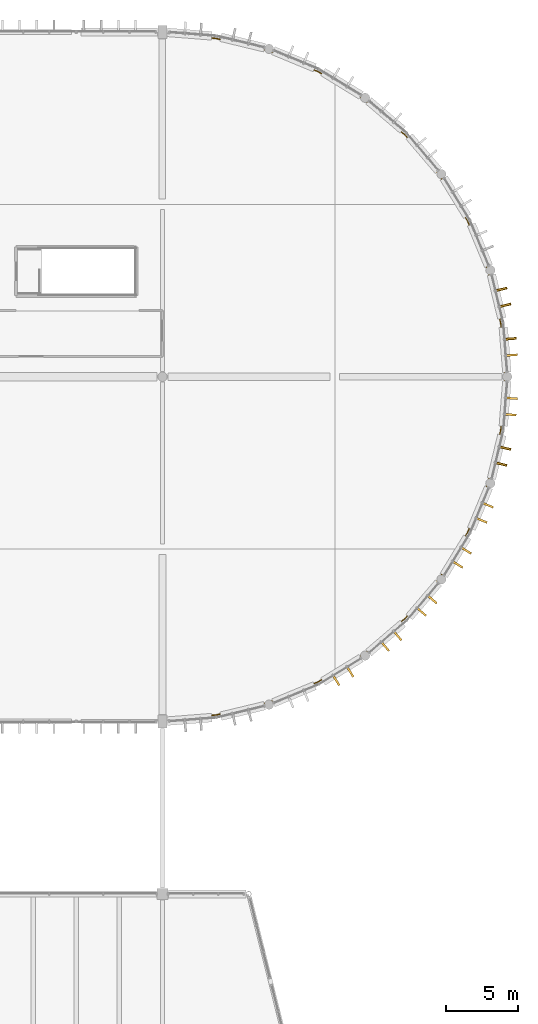
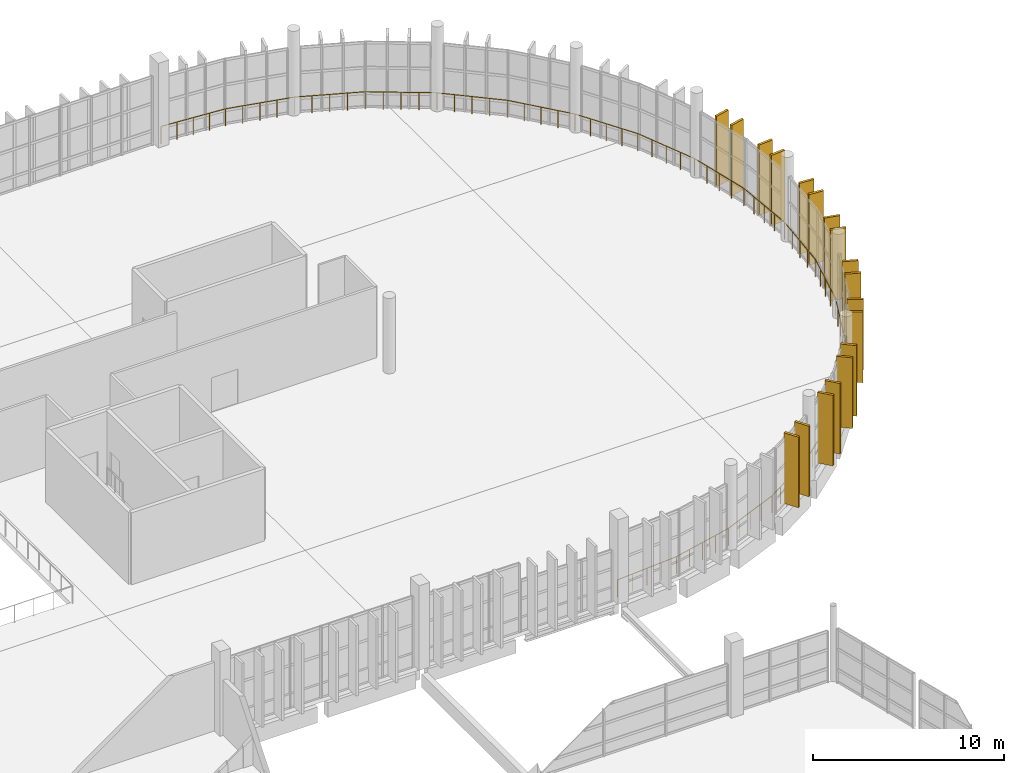
# One storey, part 110 of 112: 18 coverings, 1 railing.
"""IFC4 building model written with IfcOpenShell, lengths in metres."""

from ifc_helpers import new_model, si_unit, direction, frame, origin, origin_2d, place, context, subcontext, project, spatial, rectangle, circle, extrude, material, layer, layer_set, type_object, element, save


model = new_model("IFC4")

# Units and contexts
model_context = context("Model", 3, precision=1e-05, world=origin(), true_north=direction((0.0, 1.0)))
body_context = subcontext(model_context, "Body", "Model", "MODEL_VIEW")
ifc_project = project(units=[si_unit("LENGTHUNIT", "METRE"), si_unit("AREAUNIT", "SQUARE_METRE"), si_unit("VOLUMEUNIT", "CUBIC_METRE"), si_unit("PLANEANGLEUNIT", "RADIAN"), si_unit("MASSUNIT", "GRAM", prefix="KILO")], contexts=[model_context])

# Site, building, storey
site_placement = place(None, origin())
site = spatial("IfcSite", under=ifc_project, at=site_placement, CompositionType="ELEMENT")
building_placement = place(site_placement, origin())
building = spatial("IfcBuilding", under=site, at=building_placement, Name="Kamomehara Wholesale Market", CompositionType="ELEMENT")
storey_placement = place(building_placement, frame((0.0, 0.0, 6.60009765625)))
storey = spatial("IfcBuildingStorey", under=building, at=storey_placement, Name="L01", CompositionType="ELEMENT", Elevation=6.60009765625)

# Coverings
ifc_material_1 = material(Name="Anodised aluminium 6063-T5 Spectrum Red", Category="aluminium")
ifc_layer_1 = layer(ifc_material_1, 0.134033203125)
ifc_layer_set_1 = layer_set([ifc_layer_1], Name="Anodised aluminium 6063-T5 Spectrum Red")
covering_type_1 = type_object("IfcCoveringType", Name="COV-CLD-01", PredefinedType="CLADDING", material=ifc_layer_set_1)
for number, where, z_axis, x_axis, name in (
    (1, (203.830078125, 127.032958984375, 0.0), (0.0, 0.0, 1.0), (-0.233649011414, -0.972321006389, 0.0), "Apse radial spectrum fin 183"),
    (2, (198.02490234375, 115.64111328125, 0.0), (0.0, 0.0, 1.0), (-0.649275500974, -0.760553301114, 0.0), "Apse radial spectrum fin 190"),
):
    element("IfcCovering", number, at=place(storey_placement, frame(where, z_axis=z_axis, x_axis=x_axis)), inside=storey, type_object=covering_type_1, Name=name, PredefinedType="CLADDING", context=body_context, shape_type="SweptSolid", body=[
        extrude(rectangle(XDim=0.134033203125, YDim=0.85009765625, at=origin_2d()), origin(), (0.0, 0.0, 1.0), 4.5),
    ])
ifc_material_2 = material(Name="Anodised aluminium 6063-T5 Spectrum Orange", Category="aluminium")
ifc_layer_2 = layer(ifc_material_2, 0.135986328125)
ifc_layer_set_2 = layer_set([ifc_layer_2], Name="Anodised aluminium 6063-T5 Spectrum Orange")
covering_type_2 = type_object("IfcCoveringType", Name="COV-CLD-02", PredefinedType="CLADDING", material=ifc_layer_set_2)
for number, where, z_axis, x_axis, name in (
    (3, (203.56298828125, 138.075927734375, 0.0), (0.0, 0.0, 1.0), (0.233649011414, -0.972321006389, 0.0), "Apse radial spectrum fin 177"),
    (4, (203.56298828125, 125.924072265625, 0.0), (0.0, 0.0, 1.0), (-0.233649011414, -0.972321006389, 0.0), "Apse radial spectrum fin 184"),
    (5, (196.35888671875, 113.97509765625, 0.0), (0.0, 0.0, 1.0), (-0.760553301114, -0.649275500974, 0.0), "Apse radial spectrum fin 191"),
):
    element("IfcCovering", number, at=place(storey_placement, frame(where, z_axis=z_axis, x_axis=x_axis)), inside=storey, type_object=covering_type_2, Name=name, PredefinedType="CLADDING", context=body_context, shape_type="SweptSolid", body=[
        extrude(rectangle(XDim=0.135986328125, YDim=0.85009765625, at=origin_2d()), origin(), (0.0, 0.0, 1.0), 4.5),
    ])
ifc_material_3 = material(Name="Anodised aluminium 6063-T5 Spectrum Amber", Category="aluminium")
ifc_layer_3 = layer(ifc_material_3, 0.137939453125)
ifc_layer_set_3 = layer_set([ifc_layer_3], Name="Anodised aluminium 6063-T5 Spectrum Amber")
covering_type_3 = type_object("IfcCoveringType", Name="COV-CLD-03", PredefinedType="CLADDING", material=ifc_layer_set_3)
for number, where, z_axis, x_axis, name in (
    (6, (203.830078125, 136.967041015625, 0.0), (0.0, 0.0, 1.0), (0.233649011414, -0.972321006389, 0.0), "Apse radial spectrum fin 178"),
    (7, (202.635009765625, 123.06494140625, 0.0), (0.0, 0.0, 1.0), (-0.382570556331, -0.923926279217, 0.0), "Apse radial spectrum fin 185"),
    (8, (195.491943359375, 113.23388671875, 0.0), (0.0, 0.0, 1.0), (-0.760553301114, -0.649275500974, 0.0), "Apse radial spectrum fin 192"),
):
    element("IfcCovering", number, at=place(storey_placement, frame(where, z_axis=z_axis, x_axis=x_axis)), inside=storey, type_object=covering_type_3, Name=name, PredefinedType="CLADDING", context=body_context, shape_type="SweptSolid", body=[
        extrude(rectangle(XDim=0.137939453125, YDim=0.85009765625, at=origin_2d()), origin(), (0.0, 0.0, 1.0), 4.5),
    ])
ifc_material_4 = material(Name="Anodised aluminium 6063-T5 Spectrum Green", Category="aluminium")
ifc_layer_4 = layer(ifc_material_4, 0.139892578125)
ifc_layer_set_4 = layer_set([ifc_layer_4], Name="Anodised aluminium 6063-T5 Spectrum Green")
covering_type_4 = type_object("IfcCoveringType", Name="COV-CLD-04", PredefinedType="CLADDING", material=ifc_layer_set_4)
for number, where, z_axis, x_axis, name in (
    (9, (204.198974609375, 134.638916015625, 0.0), (0.0, 0.0, 1.0), (0.078337298714, -0.99692691188, 0.0), "Apse radial spectrum fin 179"),
    (10, (202.198974609375, 122.011962890625, 0.0), (0.0, 0.0, 1.0), (-0.382570556331, -0.923926279217, 0.0), "Apse radial spectrum fin 186"),
    (11, (193.06103515625, 111.468017578125, 0.0), (0.0, 0.0, 1.0), (-0.852603684995, -0.522558088955, 0.0), "Apse radial spectrum fin 193"),
):
    element("IfcCovering", number, at=place(storey_placement, frame(where, z_axis=z_axis, x_axis=x_axis)), inside=storey, type_object=covering_type_4, Name=name, PredefinedType="CLADDING", context=body_context, shape_type="SweptSolid", body=[
        extrude(rectangle(XDim=0.139892578125, YDim=0.85009765625, at=origin_2d()), origin(), (0.0, 0.0, 1.0), 4.5),
    ])
ifc_material_5 = material(Name="Anodised aluminium 6063-T5 Spectrum Cyan", Category="aluminium")
ifc_layer_5 = layer(ifc_material_5, 0.14208984375)
ifc_layer_set_5 = layer_set([ifc_layer_5], Name="Anodised aluminium 6063-T5 Spectrum Cyan")
covering_type_5 = type_object("IfcCoveringType", Name="COV-CLD-05", PredefinedType="CLADDING", material=ifc_layer_set_5)
for number, where, z_axis, x_axis, name in (
    (12, (204.2880859375, 133.501953125, 0.0), (0.0, 0.0, 1.0), (0.078337298714, -0.99692691188, 0.0), "Apse radial spectrum fin 180"),
    (13, (201.1279296875, 119.910888671875, 0.0), (0.0, 0.0, 1.0), (-0.522558088955, -0.852603684995, 0.0), "Apse radial spectrum fin 187"),
    (14, (192.089111328125, 110.8720703125, 0.0), (0.0, 0.0, 1.0), (-0.852603684995, -0.522558088955, 0.0), "Apse radial spectrum fin 194"),
):
    element("IfcCovering", number, at=place(storey_placement, frame(where, z_axis=z_axis, x_axis=x_axis)), inside=storey, type_object=covering_type_5, Name=name, PredefinedType="CLADDING", context=body_context, shape_type="SweptSolid", body=[
        extrude(rectangle(XDim=0.14208984375, YDim=0.85009765625, at=origin_2d()), origin(), (0.0, 0.0, 1.0), 4.5),
    ])
ifc_material_6 = material(Name="Anodised aluminium 6063-T5 Spectrum Blue", Category="aluminium")
ifc_layer_6 = layer(ifc_material_6, 0.14404296875)
ifc_layer_set_6 = layer_set([ifc_layer_6], Name="Anodised aluminium 6063-T5 Spectrum Blue")
covering_type_6 = type_object("IfcCoveringType", Name="COV-CLD-06", PredefinedType="CLADDING", material=ifc_layer_set_6)
for number, where, z_axis, x_axis, name in (
    (15, (204.2880859375, 130.498046875, 0.0), (0.0, 0.0, 1.0), (-0.078337298714, -0.99692691188, 0.0), "Apse radial spectrum fin 181"),
    (16, (200.531982421875, 118.93896484375, 0.0), (0.0, 0.0, 1.0), (-0.522558088955, -0.852603684995, 0.0), "Apse radial spectrum fin 188"),
):
    element("IfcCovering", number, at=place(storey_placement, frame(where, z_axis=z_axis, x_axis=x_axis)), inside=storey, type_object=covering_type_6, Name=name, PredefinedType="CLADDING", context=body_context, shape_type="SweptSolid", body=[
        extrude(rectangle(XDim=0.14404296875, YDim=0.85009765625, at=origin_2d()), origin(), (0.0, 0.0, 1.0), 4.5),
    ])
ifc_material_7 = material(Name="Anodised aluminium 6063-T5 Spectrum Violet", Category="aluminium")
ifc_layer_7 = layer(ifc_material_7, 0.14599609375)
ifc_layer_set_7 = layer_set([ifc_layer_7], Name="Anodised aluminium 6063-T5 Spectrum Violet")
covering_type_7 = type_object("IfcCoveringType", Name="COV-CLD-07", PredefinedType="CLADDING", material=ifc_layer_set_7)
for number, where, z_axis, x_axis, name in (
    (17, (204.198974609375, 129.361083984375, 0.0), (0.0, 0.0, 1.0), (-0.078337298714, -0.99692691188, 0.0), "Apse radial spectrum fin 182"),
    (18, (198.76611328125, 116.508056640625, 0.0), (0.0, 0.0, 1.0), (-0.649275500974, -0.760553301114, 0.0), "Apse radial spectrum fin 189"),
):
    element("IfcCovering", number, at=place(storey_placement, frame(where, z_axis=z_axis, x_axis=x_axis)), inside=storey, type_object=covering_type_7, Name=name, PredefinedType="CLADDING", context=body_context, shape_type="SweptSolid", body=[
        extrude(rectangle(XDim=0.14599609375, YDim=0.85009765625, at=origin_2d()), origin(), (0.0, 0.0, 1.0), 4.5),
    ])

# Railing
ifc_material_8 = material(Name="Steel SN400B", Category="steel")
railing_type = type_object("IfcRailingType", Name="RAL-INT-1100", PredefinedType="BALUSTRADE", material=ifc_material_8)
railing_placement = place(storey_placement, frame((180.0, 108.159912109375, 0.0)))
element("IfcRailing", 19, at=railing_placement, inside=storey, type_object=railing_type, Name="Upper produce hall apse perimeter guard", PredefinedType="BALUSTRADE", context=body_context, shape_type="SweptSolid", body=[
    extrude(circle(Radius=0.02392578125, at=origin_2d()), frame((0.0, 0.0, 1.09619140625), z_axis=(0.996902459423, 0.078647863271, 0.0), x_axis=(-0.078647863271, 0.996902459423, 0.0)), (0.0, 0.0, 1.0), 3.740478515625),
    extrude(circle(Radius=0.02392578125, at=origin_2d()), frame((3.72900390625, 0.294189453125, 1.09619140625), z_axis=(0.972405661967, 0.233296439268, 0.0), x_axis=(-0.233296439268, 0.972405661967, 0.0)), (0.0, 0.0, 1.0), 3.7412109375),
    extrude(circle(Radius=0.02392578125, at=origin_2d()), frame((7.366943359375, 1.1669921875, 1.09619140625), z_axis=(0.923916614529, 0.382593896183, 0.0), x_axis=(-0.382593896183, 0.923916614529, 0.0)), (0.0, 0.0, 1.0), 3.74072265625),
    extrude(circle(Radius=0.02392578125, at=origin_2d()), frame((10.822998046875, 2.59814453125, 1.09619140625), z_axis=(0.85263595176, 0.522505438982, 0.0), x_axis=(-0.522505438982, 0.85263595176, 0.0)), (0.0, 0.0, 1.0), 3.7412109375),
    extrude(circle(Radius=0.02392578125, at=origin_2d()), frame((14.012939453125, 4.552978515625, 1.09619140625), z_axis=(0.760250786381, 0.649629695909, 0.0), x_axis=(-0.649629695909, 0.760250786381, 0.0)), (0.0, 0.0, 1.0), 3.740966796875),
    extrude(circle(Radius=0.02392578125, at=origin_2d()), frame((16.85693359375, 6.983154296875, 1.09619140625), z_axis=(0.649629695909, 0.760250786381, 0.0), x_axis=(-0.760250786381, 0.649629695909, 0.0)), (0.0, 0.0, 1.0), 3.740966796875),
    extrude(circle(Radius=0.02392578125, at=origin_2d()), frame((19.287109375, 9.8271484375, 1.09619140625), z_axis=(0.522505438982, 0.85263595176, 0.0), x_axis=(-0.85263595176, 0.522505438982, 0.0)), (0.0, 0.0, 1.0), 3.7412109375),
    extrude(circle(Radius=0.02392578125, at=origin_2d()), frame((21.241943359375, 13.01708984375, 1.09619140625), z_axis=(0.382593896183, 0.923916614529, 0.0), x_axis=(-0.923916614529, 0.382593896183, 0.0)), (0.0, 0.0, 1.0), 3.74072265625),
    extrude(circle(Radius=0.02392578125, at=origin_2d()), frame((22.673095703125, 16.47314453125, 1.09619140625), z_axis=(0.233296439268, 0.972405661967, 0.0), x_axis=(-0.972405661967, 0.233296439268, 0.0)), (0.0, 0.0, 1.0), 3.7412109375),
    extrude(circle(Radius=0.02392578125, at=origin_2d()), frame((23.5458984375, 20.111083984375, 1.09619140625), z_axis=(0.078647863271, 0.996902459423, 0.0), x_axis=(-0.996902459423, 0.078647863271, 0.0)), (0.0, 0.0, 1.0), 3.740478515625),
    extrude(circle(Radius=0.02392578125, at=origin_2d()), frame((23.840087890625, 23.840087890625, 1.09619140625), z_axis=(-0.078647863271, 0.996902459423, 0.0), x_axis=(-0.996902459423, -0.078647863271, 0.0)), (0.0, 0.0, 1.0), 3.740478515625),
    extrude(circle(Radius=0.02392578125, at=origin_2d()), frame((23.5458984375, 27.569091796875, 1.09619140625), z_axis=(-0.233296439268, 0.972405661967, 0.0), x_axis=(-0.972405661967, -0.233296439268, 0.0)), (0.0, 0.0, 1.0), 3.7412109375),
    extrude(circle(Radius=0.02392578125, at=origin_2d()), frame((22.673095703125, 31.20703125, 1.09619140625), z_axis=(-0.382593896183, 0.923916614529, 0.0), x_axis=(-0.923916614529, -0.382593896183, 0.0)), (0.0, 0.0, 1.0), 3.74072265625),
    extrude(circle(Radius=0.02392578125, at=origin_2d()), frame((21.241943359375, 34.6630859375, 1.09619140625), z_axis=(-0.522505438982, 0.85263595176, 0.0), x_axis=(-0.85263595176, -0.522505438982, 0.0)), (0.0, 0.0, 1.0), 3.7412109375),
    extrude(circle(Radius=0.02392578125, at=origin_2d()), frame((19.287109375, 37.85302734375, 1.09619140625), z_axis=(-0.649629695909, 0.760250786381, 0.0), x_axis=(-0.760250786381, -0.649629695909, 0.0)), (0.0, 0.0, 1.0), 3.740966796875),
    extrude(circle(Radius=0.02392578125, at=origin_2d()), frame((16.85693359375, 40.697021484375, 1.09619140625), z_axis=(-0.760250786381, 0.649629695909, 0.0), x_axis=(-0.649629695909, -0.760250786381, 0.0)), (0.0, 0.0, 1.0), 3.740966796875),
    extrude(circle(Radius=0.02392578125, at=origin_2d()), frame((14.012939453125, 43.127197265625, 1.09619140625), z_axis=(-0.85263595176, 0.522505438982, 0.0), x_axis=(-0.522505438982, -0.85263595176, 0.0)), (0.0, 0.0, 1.0), 3.7412109375),
    extrude(circle(Radius=0.02392578125, at=origin_2d()), frame((10.822998046875, 45.08203125, 1.09619140625), z_axis=(-0.923916614529, 0.382593896183, 0.0), x_axis=(-0.382593896183, -0.923916614529, 0.0)), (0.0, 0.0, 1.0), 3.74072265625),
    extrude(circle(Radius=0.02392578125, at=origin_2d()), frame((7.366943359375, 46.51318359375, 1.09619140625), z_axis=(-0.972405661967, 0.233296439268, 0.0), x_axis=(-0.233296439268, -0.972405661967, 0.0)), (0.0, 0.0, 1.0), 3.7412109375),
    extrude(circle(Radius=0.02392578125, at=origin_2d()), frame((3.72900390625, 47.385986328125, 1.09619140625), z_axis=(-0.996902459423, 0.078647863271, 0.0), x_axis=(-0.078647863271, -0.996902459423, 0.0)), (0.0, 0.0, 1.0), 3.740478515625),
    extrude(circle(Radius=0.02099609375, at=origin_2d()), origin(), (0.0, 0.0, 1.0), 1.072021484375),
    extrude(circle(Radius=0.02099609375, at=origin_2d()), frame((0.93212890625, 0.073486328125, 0.0)), (0.0, 0.0, 1.0), 1.072021484375),
    extrude(circle(Radius=0.02099609375, at=origin_2d()), frame((1.864501953125, 0.14697265625, 0.0)), (0.0, 0.0, 1.0), 1.072021484375),
    extrude(circle(Radius=0.02099609375, at=origin_2d()), frame((2.796875, 0.220703125, 0.0)), (0.0, 0.0, 1.0), 1.072021484375),
    extrude(circle(Radius=0.02099609375, at=origin_2d()), frame((3.72900390625, 0.294189453125, 0.0)), (0.0, 0.0, 1.0), 1.072021484375),
    extrude(circle(Radius=0.02099609375, at=origin_2d()), frame((4.638427734375, 0.512451171875, 0.0)), (0.0, 0.0, 1.0), 1.072021484375),
    extrude(circle(Radius=0.02099609375, at=origin_2d()), frame((5.5478515625, 0.73046875, 0.0)), (0.0, 0.0, 1.0), 1.072021484375),
    extrude(circle(Radius=0.02099609375, at=origin_2d()), frame((6.45751953125, 0.94873046875, 0.0)), (0.0, 0.0, 1.0), 1.072021484375),
    extrude(circle(Radius=0.02099609375, at=origin_2d()), frame((7.366943359375, 1.1669921875, 0.0)), (0.0, 0.0, 1.0), 1.072021484375),
    extrude(circle(Radius=0.02099609375, at=origin_2d()), frame((8.23095703125, 1.52490234375, 0.0)), (0.0, 0.0, 1.0), 1.072021484375),
    extrude(circle(Radius=0.02099609375, at=origin_2d()), frame((9.094970703125, 1.882568359375, 0.0)), (0.0, 0.0, 1.0), 1.072021484375),
    extrude(circle(Radius=0.02099609375, at=origin_2d()), frame((9.958984375, 2.240234375, 0.0)), (0.0, 0.0, 1.0), 1.072021484375),
    extrude(circle(Radius=0.02099609375, at=origin_2d()), frame((10.822998046875, 2.59814453125, 0.0)), (0.0, 0.0, 1.0), 1.072021484375),
    extrude(circle(Radius=0.02099609375, at=origin_2d()), frame((11.62060546875, 3.0869140625, 0.0)), (0.0, 0.0, 1.0), 1.072021484375),
    extrude(circle(Radius=0.02099609375, at=origin_2d()), frame((12.41796875, 3.57568359375, 0.0)), (0.0, 0.0, 1.0), 1.072021484375),
    extrude(circle(Radius=0.02099609375, at=origin_2d()), frame((13.21533203125, 4.064208984375, 0.0)), (0.0, 0.0, 1.0), 1.072021484375),
    extrude(circle(Radius=0.02099609375, at=origin_2d()), frame((14.012939453125, 4.552978515625, 0.0)), (0.0, 0.0, 1.0), 1.072021484375),
    extrude(circle(Radius=0.02099609375, at=origin_2d()), frame((14.723876953125, 5.16064453125, 0.0)), (0.0, 0.0, 1.0), 1.072021484375),
    extrude(circle(Radius=0.02099609375, at=origin_2d()), frame((15.43505859375, 5.76806640625, 0.0)), (0.0, 0.0, 1.0), 1.072021484375),
    extrude(circle(Radius=0.02099609375, at=origin_2d()), frame((16.14599609375, 6.37548828125, 0.0)), (0.0, 0.0, 1.0), 1.072021484375),
    extrude(circle(Radius=0.02099609375, at=origin_2d()), frame((16.85693359375, 6.983154296875, 0.0)), (0.0, 0.0, 1.0), 1.072021484375),
    extrude(circle(Radius=0.02099609375, at=origin_2d()), frame((17.46435546875, 7.694091796875, 0.0)), (0.0, 0.0, 1.0), 1.072021484375),
    extrude(circle(Radius=0.02099609375, at=origin_2d()), frame((18.072021484375, 8.4052734375, 0.0)), (0.0, 0.0, 1.0), 1.072021484375),
    extrude(circle(Radius=0.02099609375, at=origin_2d()), frame((18.6796875, 9.1162109375, 0.0)), (0.0, 0.0, 1.0), 1.072021484375),
    extrude(circle(Radius=0.02099609375, at=origin_2d()), frame((19.287109375, 9.8271484375, 0.0)), (0.0, 0.0, 1.0), 1.072021484375),
    extrude(circle(Radius=0.02099609375, at=origin_2d()), frame((19.77587890625, 10.62451171875, 0.0)), (0.0, 0.0, 1.0), 1.072021484375),
    extrude(circle(Radius=0.02099609375, at=origin_2d()), frame((20.2646484375, 11.422119140625, 0.0)), (0.0, 0.0, 1.0), 1.072021484375),
    extrude(circle(Radius=0.02099609375, at=origin_2d()), frame((20.753173828125, 12.2197265625, 0.0)), (0.0, 0.0, 1.0), 1.072021484375),
    extrude(circle(Radius=0.02099609375, at=origin_2d()), frame((21.241943359375, 13.01708984375, 0.0)), (0.0, 0.0, 1.0), 1.072021484375),
    extrude(circle(Radius=0.02099609375, at=origin_2d()), frame((21.599609375, 13.881103515625, 0.0)), (0.0, 0.0, 1.0), 1.072021484375),
    extrude(circle(Radius=0.02099609375, at=origin_2d()), frame((21.95751953125, 14.7451171875, 0.0)), (0.0, 0.0, 1.0), 1.072021484375),
    extrude(circle(Radius=0.02099609375, at=origin_2d()), frame((22.3154296875, 15.609130859375, 0.0)), (0.0, 0.0, 1.0), 1.072021484375),
    extrude(circle(Radius=0.02099609375, at=origin_2d()), frame((22.673095703125, 16.47314453125, 0.0)), (0.0, 0.0, 1.0), 1.072021484375),
    extrude(circle(Radius=0.02099609375, at=origin_2d()), frame((22.891357421875, 17.382568359375, 0.0)), (0.0, 0.0, 1.0), 1.072021484375),
    extrude(circle(Radius=0.02099609375, at=origin_2d()), frame((23.109375, 18.2919921875, 0.0)), (0.0, 0.0, 1.0), 1.072021484375),
    extrude(circle(Radius=0.02099609375, at=origin_2d()), frame((23.32763671875, 19.20166015625, 0.0)), (0.0, 0.0, 1.0), 1.072021484375),
    extrude(circle(Radius=0.02099609375, at=origin_2d()), frame((23.5458984375, 20.111083984375, 0.0)), (0.0, 0.0, 1.0), 1.072021484375),
    extrude(circle(Radius=0.02099609375, at=origin_2d()), frame((23.619384765625, 21.04345703125, 0.0)), (0.0, 0.0, 1.0), 1.072021484375),
    extrude(circle(Radius=0.02099609375, at=origin_2d()), frame((23.69287109375, 21.9755859375, 0.0)), (0.0, 0.0, 1.0), 1.072021484375),
    extrude(circle(Radius=0.02099609375, at=origin_2d()), frame((23.7666015625, 22.90771484375, 0.0)), (0.0, 0.0, 1.0), 1.072021484375),
    extrude(circle(Radius=0.02099609375, at=origin_2d()), frame((23.840087890625, 23.840087890625, 0.0)), (0.0, 0.0, 1.0), 1.072021484375),
    extrude(circle(Radius=0.02099609375, at=origin_2d()), frame((23.7666015625, 24.7724609375, 0.0)), (0.0, 0.0, 1.0), 1.072021484375),
    extrude(circle(Radius=0.02099609375, at=origin_2d()), frame((23.69287109375, 25.70458984375, 0.0)), (0.0, 0.0, 1.0), 1.072021484375),
    extrude(circle(Radius=0.02099609375, at=origin_2d()), frame((23.619384765625, 26.63671875, 0.0)), (0.0, 0.0, 1.0), 1.072021484375),
    extrude(circle(Radius=0.02099609375, at=origin_2d()), frame((23.5458984375, 27.569091796875, 0.0)), (0.0, 0.0, 1.0), 1.072021484375),
    extrude(circle(Radius=0.02099609375, at=origin_2d()), frame((23.32763671875, 28.478515625, 0.0)), (0.0, 0.0, 1.0), 1.072021484375),
    extrude(circle(Radius=0.02099609375, at=origin_2d()), frame((23.109375, 29.38818359375, 0.0)), (0.0, 0.0, 1.0), 1.072021484375),
    extrude(circle(Radius=0.02099609375, at=origin_2d()), frame((22.891357421875, 30.297607421875, 0.0)), (0.0, 0.0, 1.0), 1.072021484375),
    extrude(circle(Radius=0.02099609375, at=origin_2d()), frame((22.673095703125, 31.20703125, 0.0)), (0.0, 0.0, 1.0), 1.072021484375),
    extrude(circle(Radius=0.02099609375, at=origin_2d()), frame((22.3154296875, 32.071044921875, 0.0)), (0.0, 0.0, 1.0), 1.072021484375),
    extrude(circle(Radius=0.02099609375, at=origin_2d()), frame((21.95751953125, 32.93505859375, 0.0)), (0.0, 0.0, 1.0), 1.072021484375),
    extrude(circle(Radius=0.02099609375, at=origin_2d()), frame((21.599609375, 33.799072265625, 0.0)), (0.0, 0.0, 1.0), 1.072021484375),
    extrude(circle(Radius=0.02099609375, at=origin_2d()), frame((21.241943359375, 34.6630859375, 0.0)), (0.0, 0.0, 1.0), 1.072021484375),
    extrude(circle(Radius=0.02099609375, at=origin_2d()), frame((20.753173828125, 35.46044921875, 0.0)), (0.0, 0.0, 1.0), 1.072021484375),
    extrude(circle(Radius=0.02099609375, at=origin_2d()), frame((20.2646484375, 36.258056640625, 0.0)), (0.0, 0.0, 1.0), 1.072021484375),
    extrude(circle(Radius=0.02099609375, at=origin_2d()), frame((19.77587890625, 37.0556640625, 0.0)), (0.0, 0.0, 1.0), 1.072021484375),
    extrude(circle(Radius=0.02099609375, at=origin_2d()), frame((19.287109375, 37.85302734375, 0.0)), (0.0, 0.0, 1.0), 1.072021484375),
    extrude(circle(Radius=0.02099609375, at=origin_2d()), frame((18.6796875, 38.56396484375, 0.0)), (0.0, 0.0, 1.0), 1.072021484375),
    extrude(circle(Radius=0.02099609375, at=origin_2d()), frame((18.072021484375, 39.27490234375, 0.0)), (0.0, 0.0, 1.0), 1.072021484375),
    extrude(circle(Radius=0.02099609375, at=origin_2d()), frame((17.46435546875, 39.986083984375, 0.0)), (0.0, 0.0, 1.0), 1.072021484375),
    extrude(circle(Radius=0.02099609375, at=origin_2d()), frame((16.85693359375, 40.697021484375, 0.0)), (0.0, 0.0, 1.0), 1.072021484375),
    extrude(circle(Radius=0.02099609375, at=origin_2d()), frame((16.14599609375, 41.3046875, 0.0)), (0.0, 0.0, 1.0), 1.072021484375),
    extrude(circle(Radius=0.02099609375, at=origin_2d()), frame((15.43505859375, 41.912109375, 0.0)), (0.0, 0.0, 1.0), 1.072021484375),
    extrude(circle(Radius=0.02099609375, at=origin_2d()), frame((14.723876953125, 42.51953125, 0.0)), (0.0, 0.0, 1.0), 1.072021484375),
    extrude(circle(Radius=0.02099609375, at=origin_2d()), frame((14.012939453125, 43.127197265625, 0.0)), (0.0, 0.0, 1.0), 1.072021484375),
    extrude(circle(Radius=0.02099609375, at=origin_2d()), frame((13.21533203125, 43.615966796875, 0.0)), (0.0, 0.0, 1.0), 1.072021484375),
    extrude(circle(Radius=0.02099609375, at=origin_2d()), frame((12.41796875, 44.1044921875, 0.0)), (0.0, 0.0, 1.0), 1.072021484375),
    extrude(circle(Radius=0.02099609375, at=origin_2d()), frame((11.62060546875, 44.59326171875, 0.0)), (0.0, 0.0, 1.0), 1.072021484375),
    extrude(circle(Radius=0.02099609375, at=origin_2d()), frame((10.822998046875, 45.08203125, 0.0)), (0.0, 0.0, 1.0), 1.072021484375),
    extrude(circle(Radius=0.02099609375, at=origin_2d()), frame((9.958984375, 45.43994140625, 0.0)), (0.0, 0.0, 1.0), 1.072021484375),
    extrude(circle(Radius=0.02099609375, at=origin_2d()), frame((9.094970703125, 45.797607421875, 0.0)), (0.0, 0.0, 1.0), 1.072021484375),
    extrude(circle(Radius=0.02099609375, at=origin_2d()), frame((8.23095703125, 46.1552734375, 0.0)), (0.0, 0.0, 1.0), 1.072021484375),
    extrude(circle(Radius=0.02099609375, at=origin_2d()), frame((7.366943359375, 46.51318359375, 0.0)), (0.0, 0.0, 1.0), 1.072021484375),
    extrude(circle(Radius=0.02099609375, at=origin_2d()), frame((6.45751953125, 46.7314453125, 0.0)), (0.0, 0.0, 1.0), 1.072021484375),
    extrude(circle(Radius=0.02099609375, at=origin_2d()), frame((5.5478515625, 46.94970703125, 0.0)), (0.0, 0.0, 1.0), 1.072021484375),
    extrude(circle(Radius=0.02099609375, at=origin_2d()), frame((4.638427734375, 47.167724609375, 0.0)), (0.0, 0.0, 1.0), 1.072021484375),
    extrude(circle(Radius=0.02099609375, at=origin_2d()), frame((3.72900390625, 47.385986328125, 0.0)), (0.0, 0.0, 1.0), 1.072021484375),
    extrude(circle(Radius=0.02099609375, at=origin_2d()), frame((2.796875, 47.45947265625, 0.0)), (0.0, 0.0, 1.0), 1.072021484375),
    extrude(circle(Radius=0.02099609375, at=origin_2d()), frame((1.864501953125, 47.533203125, 0.0)), (0.0, 0.0, 1.0), 1.072021484375),
    extrude(circle(Radius=0.02099609375, at=origin_2d()), frame((0.93212890625, 47.606689453125, 0.0)), (0.0, 0.0, 1.0), 1.072021484375),
    extrude(circle(Radius=0.02099609375, at=origin_2d()), frame((0.0, 47.68017578125, 0.0)), (0.0, 0.0, 1.0), 1.072021484375),
])

save(model, "model.ifc")
